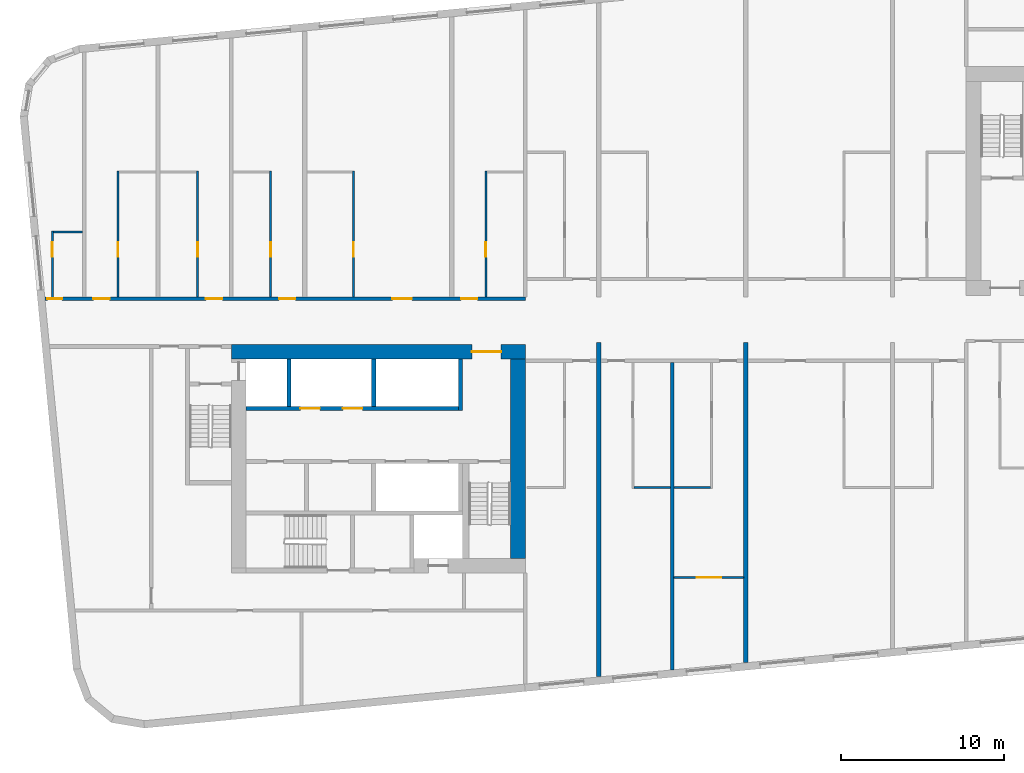
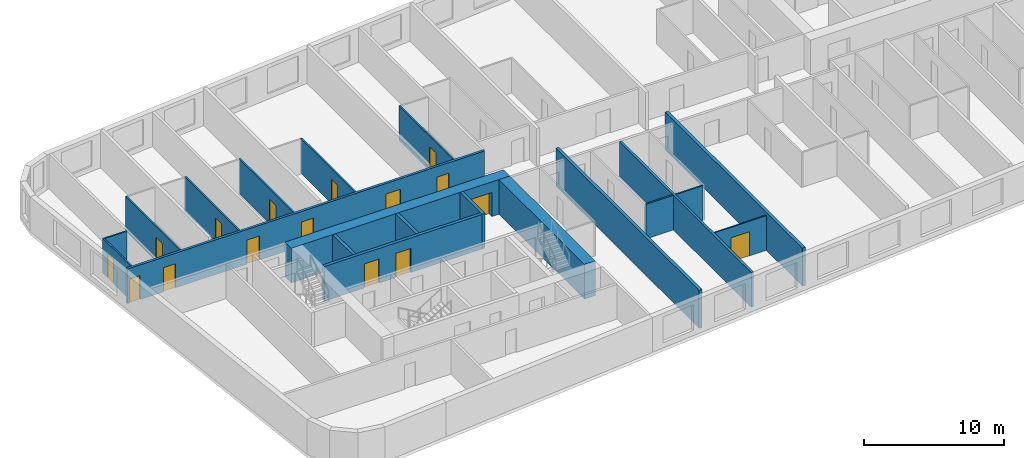
# One storey, part 3 of 12: 20 walls, 16 doors, 16 openings.
"""IFC4 building model written with IfcOpenShell, lengths in metres."""

from ifc_helpers import new_model, si_unit, direction, frame, frame_2d, origin, place, context, subcontext, project, spatial, rectangle, extrude, material, layer, layer_set, type_object, element, fill, save


model = new_model("IFC4")

# Units and contexts
model_context = context("Model", 3, precision=1e-05, world=origin(), true_north=direction((0.0, 1.0)))
body_context = subcontext(model_context, "Body", "Model", "MODEL_VIEW")
ifc_project = project(units=[si_unit("LENGTHUNIT", "METRE"), si_unit("AREAUNIT", "SQUARE_METRE"), si_unit("VOLUMEUNIT", "CUBIC_METRE"), si_unit("PLANEANGLEUNIT", "RADIAN"), si_unit("MASSUNIT", "GRAM", prefix="KILO")], contexts=[model_context])

# Site, building, storey
site_placement = place(None, origin())
site = spatial("IfcSite", under=ifc_project, at=site_placement, CompositionType="ELEMENT")
building_placement = place(site_placement, origin())
building = spatial("IfcBuilding", under=site, at=building_placement, Name="Kajstack Hotel Tower", CompositionType="ELEMENT")
storey_placement = place(building_placement, frame((0.0, 0.0, 199.89990234375)))
storey = spatial("IfcBuildingStorey", under=building, at=storey_placement, Name="L48", CompositionType="ELEMENT", Elevation=199.89990234375)

# Wall, opening, door
ifc_material_1 = material(Name="Concrete C60/75", Category="concrete")
ifc_layer_1 = layer(ifc_material_1, 0.89990234375)
ifc_layer_set_1 = layer_set([ifc_layer_1], Name="Core wall 900")
wall_type_1 = type_object("IfcWallType", Name="Core wall 900", PredefinedType="SHEAR", material=ifc_layer_set_1)
wall_1_placement = place(storey_placement, frame((-31.5, -1.949951171875, 0.0), z_axis=(0.0, 0.0, 1.0), x_axis=(1.0, 0.0, 0.0)))
wall_1 = element("IfcWall", 1, at=wall_1_placement, inside=storey, type_object=wall_type_1, Name="Core wall W RN", PredefinedType="SHEAR", context=body_context, shape_type="SweptSolid", body=[
    extrude(rectangle(XDim=18.0, YDim=0.89990234375, at=frame_2d((9.0, 0.0))), origin(), (0.0, 0.0, 1.0), 3.02001953125),
])
opening_1_placement = place(wall_1_placement, frame((14.72509765625, 0.0, 0.0)))
opening_1 = element("IfcOpeningElement", 2, at=opening_1_placement, cuts=wall_1, Name="Opening 48W07", PredefinedType="OPENING", context=body_context, shape_type="SweptSolid", body=[
    extrude(rectangle(XDim=1.800048828125, YDim=2.10009765625, at=frame_2d((0.89990234375, 1.050048828125))), frame((0.0, 0.4599609375, 0.0), z_axis=(0.0, -1.0, 0.0), x_axis=(1.0, 0.0, 0.0)), (0.0, 0.0, 1.0), 0.919921875),
])
ifc_material_2 = material(Name="Glazed steel frame, fire-rated glass", Category="steel")
door_type_1 = type_object("IfcDoorType", Name="Lobby double door 1800", OperationType="DOUBLE_DOOR_DOUBLE_SWING", PredefinedType="DOOR", material=ifc_material_2)
door_1_placement = place(opening_1_placement, origin())
door_1 = element("IfcDoor", 3, at=door_1_placement, inside=storey, type_object=door_type_1, Name="Door 48W07", OperationType="DOUBLE_DOOR_DOUBLE_SWING", OverallHeight=2.10009765625, OverallWidth=1.800048828125, PredefinedType="DOOR", context=body_context, shape_type="SweptSolid", body=[
    extrude(rectangle(XDim=1.800048828125, YDim=2.10009765625, at=frame_2d((0.89990234375, 1.050048828125))), frame((0.0, 0.02490234375, 0.0), z_axis=(0.0, -1.0, 0.0), x_axis=(1.0, 0.0, 0.0)), (0.0, 0.0, 1.0), 0.050048828125),
])
fill(opening_1, door_1)

# Wall
wall_2_placement = place(storey_placement, frame((-13.949951171875, -14.60009765625, 0.0), z_axis=(0.0, 0.0, 1.0), x_axis=(0.0, 1.0, 0.0)))
element("IfcWall", 4, at=wall_2_placement, inside=storey, type_object=wall_type_1, Name="Core wall W RE", PredefinedType="SHEAR", context=body_context, shape_type="SweptSolid", body=[
    extrude(rectangle(XDim=12.2001953125, YDim=0.89990234375, at=frame_2d((6.10009765625, 0.0))), origin(), (0.0, 0.0, 1.0), 3.02001953125),
])

# Wall, openings, doors
ifc_material_3 = material(Name="Gypsum board on steel studs, mineral wool", Category="steel")
ifc_layer_2 = layer(ifc_material_3, 0.199951171875)
ifc_layer_set_2 = layer_set([ifc_layer_2], Name="Corridor wall 200")
wall_type_2 = type_object("IfcWallType", Name="Corridor wall 200", PredefinedType="PARTITIONING", material=ifc_layer_set_2)
wall_3_placement = place(storey_placement, frame((-42.9130859375, 1.300048828125, 0.0), z_axis=(0.0, 0.0, 1.0), x_axis=(1.0, 0.0, 0.0)))
wall_3 = element("IfcWall", 5, at=wall_3_placement, inside=storey, type_object=wall_type_2, Name="G-wall-L48-003", PredefinedType="PARTITIONING", context=body_context, shape_type="SweptSolid", body=[
    extrude(rectangle(XDim=29.4130859375, YDim=0.199951171875, at=frame_2d((14.70654296875, 0.0))), origin(), (0.0, 0.0, 1.0), 3.02001953125),
])
opening_2_placement = place(wall_3_placement, frame((0.14990234375, 0.0, 0.0)))
opening_2 = element("IfcOpeningElement", 6, at=opening_2_placement, cuts=wall_3, Name="Opening 48001", PredefinedType="OPENING", context=body_context, shape_type="SweptSolid", body=[
    extrude(rectangle(XDim=0.89990234375, YDim=2.10009765625, at=frame_2d((0.449951171875, 1.050048828125))), frame((0.0, 0.10986328125, 0.0), z_axis=(0.0, -1.0, 0.0), x_axis=(1.0, 0.0, 0.0)), (0.0, 0.0, 1.0), 0.219970703125),
])
opening_3_placement = place(wall_3_placement, frame((2.962890625, 0.0, 0.0)))
opening_3 = element("IfcOpeningElement", 7, at=opening_3_placement, cuts=wall_3, Name="Opening 48003", PredefinedType="OPENING", context=body_context, shape_type="SweptSolid", body=[
    extrude(rectangle(XDim=1.0, YDim=2.10009765625, at=frame_2d((0.5, 1.050048828125))), frame((0.0, 0.10986328125, 0.0), z_axis=(0.0, -1.0, 0.0), x_axis=(1.0, 0.0, 0.0)), (0.0, 0.0, 1.0), 0.219970703125),
])
opening_4_placement = place(wall_3_placement, frame((9.863037109375, 0.0, 0.0)))
opening_4 = element("IfcOpeningElement", 8, at=opening_4_placement, cuts=wall_3, Name="Opening 48005", PredefinedType="OPENING", context=body_context, shape_type="SweptSolid", body=[
    extrude(rectangle(XDim=1.0, YDim=2.10009765625, at=frame_2d((0.5, 1.050048828125))), frame((0.0, 0.10986328125, 0.0), z_axis=(0.0, -1.0, 0.0), x_axis=(1.0, 0.0, 0.0)), (0.0, 0.0, 1.0), 0.219970703125),
])
opening_5_placement = place(wall_3_placement, frame((14.337890625, 0.0, 0.0)))
opening_5 = element("IfcOpeningElement", 9, at=opening_5_placement, cuts=wall_3, Name="Opening 48007", PredefinedType="OPENING", context=body_context, shape_type="SweptSolid", body=[
    extrude(rectangle(XDim=1.0, YDim=2.10009765625, at=frame_2d((0.5, 1.050048828125))), frame((0.0, 0.10986328125, 0.0), z_axis=(0.0, -1.0, 0.0), x_axis=(1.0, 0.0, 0.0)), (0.0, 0.0, 1.0), 0.219970703125),
])
opening_6_placement = place(wall_3_placement, frame((21.27490234375, 0.0, 0.0)))
opening_6 = element("IfcOpeningElement", 10, at=opening_6_placement, cuts=wall_3, Name="Opening 48009", PredefinedType="OPENING", context=body_context, shape_type="SweptSolid", body=[
    extrude(rectangle(XDim=1.199951171875, YDim=2.10009765625, at=frame_2d((0.60009765625, 1.050048828125))), frame((0.0, 0.10986328125, 0.0), z_axis=(0.0, -1.0, 0.0), x_axis=(1.0, 0.0, 0.0)), (0.0, 0.0, 1.0), 0.219970703125),
])
opening_7_placement = place(wall_3_placement, frame((25.488037109375, 0.0, 0.0)))
opening_7 = element("IfcOpeningElement", 11, at=opening_7_placement, cuts=wall_3, Name="Opening 48011", PredefinedType="OPENING", context=body_context, shape_type="SweptSolid", body=[
    extrude(rectangle(XDim=1.0, YDim=2.10009765625, at=frame_2d((0.5, 1.050048828125))), frame((0.0, 0.10986328125, 0.0), z_axis=(0.0, -1.0, 0.0), x_axis=(1.0, 0.0, 0.0)), (0.0, 0.0, 1.0), 0.219970703125),
])
ifc_material_4 = material(Name="Oak veneer on timber core, fire-rated leaf", Category="wood")
door_type_2 = type_object("IfcDoorType", Name="Flat entrance door 1000", OperationType="SINGLE_SWING_LEFT", PredefinedType="DOOR", material=ifc_material_4)
door_2_placement = place(opening_3_placement, origin())
door_2 = element("IfcDoor", 12, at=door_2_placement, inside=storey, type_object=door_type_2, Name="G-door-L48-03", OperationType="SINGLE_SWING_LEFT", OverallHeight=2.10009765625, OverallWidth=1.0, PredefinedType="DOOR", context=body_context, shape_type="SweptSolid", body=[
    extrude(rectangle(XDim=1.0, YDim=2.10009765625, at=frame_2d((0.5, 1.050048828125))), frame((0.0, 0.02490234375, 0.0), z_axis=(0.0, -1.0, 0.0), x_axis=(1.0, 0.0, 0.0)), (0.0, 0.0, 1.0), 0.050048828125),
])
fill(opening_3, door_2)
door_3_placement = place(opening_4_placement, origin())
door_3 = element("IfcDoor", 13, at=door_3_placement, inside=storey, type_object=door_type_2, Name="G-door-L48-05", OperationType="SINGLE_SWING_LEFT", OverallHeight=2.10009765625, OverallWidth=1.0, PredefinedType="DOOR", context=body_context, shape_type="SweptSolid", body=[
    extrude(rectangle(XDim=1.0, YDim=2.10009765625, at=frame_2d((0.5, 1.050048828125))), frame((0.0, 0.02490234375, 0.0), z_axis=(0.0, -1.0, 0.0), x_axis=(1.0, 0.0, 0.0)), (0.0, 0.0, 1.0), 0.050048828125),
])
fill(opening_4, door_3)
door_4_placement = place(opening_5_placement, origin())
door_4 = element("IfcDoor", 14, at=door_4_placement, inside=storey, type_object=door_type_2, Name="G-door-L48-07", OperationType="SINGLE_SWING_RIGHT", OverallHeight=2.10009765625, OverallWidth=1.0, PredefinedType="DOOR", context=body_context, shape_type="SweptSolid", body=[
    extrude(rectangle(XDim=1.0, YDim=2.10009765625, at=frame_2d((0.5, 1.050048828125))), frame((0.0, 0.02490234375, 0.0), z_axis=(0.0, -1.0, 0.0), x_axis=(1.0, 0.0, 0.0)), (0.0, 0.0, 1.0), 0.050048828125),
])
fill(opening_5, door_4)
door_5_placement = place(opening_7_placement, origin())
door_5 = element("IfcDoor", 15, at=door_5_placement, inside=storey, type_object=door_type_2, Name="G-door-L48-11", OperationType="SINGLE_SWING_RIGHT", OverallHeight=2.10009765625, OverallWidth=1.0, PredefinedType="DOOR", context=body_context, shape_type="SweptSolid", body=[
    extrude(rectangle(XDim=1.0, YDim=2.10009765625, at=frame_2d((0.5, 1.050048828125))), frame((0.0, 0.02490234375, 0.0), z_axis=(0.0, -1.0, 0.0), x_axis=(1.0, 0.0, 0.0)), (0.0, 0.0, 1.0), 0.050048828125),
])
fill(opening_7, door_5)
door_type_3 = type_object("IfcDoorType", Name="Flat entrance door 1200", OperationType="SINGLE_SWING_LEFT", PredefinedType="DOOR", material=ifc_material_4)
door_6_placement = place(opening_6_placement, origin())
door_6 = element("IfcDoor", 16, at=door_6_placement, inside=storey, type_object=door_type_3, Name="G-door-L48-09", OperationType="SINGLE_SWING_LEFT", OverallHeight=2.10009765625, OverallWidth=1.199951171875, PredefinedType="DOOR", context=body_context, shape_type="SweptSolid", body=[
    extrude(rectangle(XDim=1.199951171875, YDim=2.10009765625, at=frame_2d((0.60009765625, 1.050048828125))), frame((0.0, 0.02490234375, 0.0), z_axis=(0.0, -1.0, 0.0), x_axis=(1.0, 0.0, 0.0)), (0.0, 0.0, 1.0), 0.050048828125),
])
fill(opening_6, door_6)
ifc_material_5 = material(Name="Painted timber door leaf", Category="wood")
door_type_4 = type_object("IfcDoorType", Name="Room door 900", OperationType="SINGLE_SWING_LEFT", PredefinedType="DOOR", material=ifc_material_5)
door_7_placement = place(opening_2_placement, origin())
door_7 = element("IfcDoor", 17, at=door_7_placement, inside=storey, type_object=door_type_4, Name="G-door-L48-01", OperationType="SINGLE_SWING_RIGHT", OverallHeight=2.10009765625, OverallWidth=0.89990234375, PredefinedType="DOOR", context=body_context, shape_type="SweptSolid", body=[
    extrude(rectangle(XDim=0.89990234375, YDim=2.10009765625, at=frame_2d((0.449951171875, 1.050048828125))), frame((0.0, 0.02490234375, 0.0), z_axis=(0.0, -1.0, 0.0), x_axis=(1.0, 0.0, 0.0)), (0.0, 0.0, 1.0), 0.050048828125),
])
fill(opening_2, door_7)

# Wall
ifc_material_6 = material(Name="Twin-frame gypsum board on steel studs, mineral wool", Category="steel")
ifc_layer_3 = layer(ifc_material_6, 0.199951171875)
ifc_layer_set_3 = layer_set([ifc_layer_3], Name="Demising wall 200")
wall_type_3 = type_object("IfcWallType", Name="Demising wall 200", PredefinedType="PARTITIONING", material=ifc_layer_set_3)
wall_4_placement = place(storey_placement, frame((-4.5, -21.43408203125, 0.0), z_axis=(0.0, 0.0, 1.0), x_axis=(0.0, 1.0, 0.0)))
element("IfcWall", 18, at=wall_4_placement, inside=storey, type_object=wall_type_3, Name="G-wall-L48-032", PredefinedType="PARTITIONING", context=body_context, shape_type="SweptSolid", body=[
    extrude(rectangle(XDim=18.833984375, YDim=0.199951171875, at=frame_2d((9.4169921875, 0.0))), origin(), (0.0, 0.0, 1.0), 3.02001953125),
])

# Wall, opening, door
ifc_material_7 = material(Name="Gypsum board and tiled backer on steel studs", Category="steel")
ifc_layer_4 = layer(ifc_material_7, 0.125)
ifc_layer_set_4 = layer_set([ifc_layer_4], Name="En-suite wall 125")
wall_type_4 = type_object("IfcWallType", Name="En-suite wall 125", PredefinedType="PARTITIONING", material=ifc_layer_set_4)
wall_5_placement = place(storey_placement, frame((-42.4619140625, 1.39990234375, 0.0), z_axis=(0.0, 0.0, 1.0), x_axis=(0.0, 1.0, 0.0)))
wall_5 = element("IfcWall", 19, at=wall_5_placement, inside=storey, type_object=wall_type_4, Name="G-wall-L48-006", PredefinedType="PARTITIONING", context=body_context, shape_type="SweptSolid", body=[
    extrude(rectangle(XDim=4.028076171875, YDim=0.125, at=frame_2d((2.01416015625, 0.0))), origin(), (0.0, 0.0, 1.0), 3.02001953125),
])
opening_8_placement = place(wall_5_placement, frame((2.449951171875, 0.0, 0.0)))
opening_8 = element("IfcOpeningElement", 20, at=opening_8_placement, cuts=wall_5, Name="Opening 48002", PredefinedType="OPENING", context=body_context, shape_type="SweptSolid", body=[
    extrude(rectangle(XDim=0.89990234375, YDim=2.10009765625, at=frame_2d((0.449951171875, 1.050048828125))), frame((0.0, 0.072509765625, 0.0), z_axis=(0.0, -1.0, 0.0), x_axis=(1.0, 0.0, 0.0)), (0.0, 0.0, 1.0), 0.14501953125),
])
door_8_placement = place(opening_8_placement, origin())
door_8 = element("IfcDoor", 21, at=door_8_placement, inside=storey, type_object=door_type_4, Name="G-door-L48-02", OperationType="SINGLE_SWING_RIGHT", OverallHeight=2.10009765625, OverallWidth=0.89990234375, PredefinedType="DOOR", context=body_context, shape_type="SweptSolid", body=[
    extrude(rectangle(XDim=0.89990234375, YDim=2.10009765625, at=frame_2d((0.449951171875, 1.050048828125))), frame((0.0, 0.02490234375, 0.0), z_axis=(0.0, -1.0, 0.0), x_axis=(1.0, 0.0, 0.0)), (0.0, 0.0, 1.0), 0.050048828125),
])
fill(opening_8, door_8)

# Wall
wall_6_placement = place(storey_placement, frame((-42.39990234375, 5.365966796875, 0.0), z_axis=(0.0, 0.0, 1.0), x_axis=(1.0, 0.0, 0.0)))
element("IfcWall", 22, at=wall_6_placement, inside=storey, type_object=wall_type_4, Name="G-wall-L48-007", PredefinedType="PARTITIONING", context=body_context, shape_type="SweptSolid", body=[
    extrude(rectangle(XDim=1.7998046875, YDim=0.125, at=frame_2d((0.89990234375, 0.0))), origin(), (0.0, 0.0, 1.0), 3.02001953125),
])

# Wall, opening, door
wall_7_placement = place(storey_placement, frame((-38.43798828125, 1.39990234375, 0.0), z_axis=(0.0, 0.0, 1.0), x_axis=(0.0, 1.0, 0.0)))
wall_7 = element("IfcWall", 23, at=wall_7_placement, inside=storey, type_object=wall_type_4, Name="G-wall-L48-008", PredefinedType="PARTITIONING", context=body_context, shape_type="SweptSolid", body=[
    extrude(rectangle(XDim=7.72509765625, YDim=0.125, at=frame_2d((3.862548828125, 0.0))), origin(), (0.0, 0.0, 1.0), 3.02001953125),
])
opening_9_placement = place(wall_7_placement, frame((2.449951171875, 0.0, 0.0)))
opening_9 = element("IfcOpeningElement", 24, at=opening_9_placement, cuts=wall_7, Name="Opening 48004", PredefinedType="OPENING", context=body_context, shape_type="SweptSolid", body=[
    extrude(rectangle(XDim=0.89990234375, YDim=2.10009765625, at=frame_2d((0.449951171875, 1.050048828125))), frame((0.0, 0.072509765625, 0.0), z_axis=(0.0, -1.0, 0.0), x_axis=(1.0, 0.0, 0.0)), (0.0, 0.0, 1.0), 0.14501953125),
])
door_9_placement = place(opening_9_placement, origin())
door_9 = element("IfcDoor", 25, at=door_9_placement, inside=storey, type_object=door_type_4, Name="G-door-L48-04", OperationType="SINGLE_SWING_RIGHT", OverallHeight=2.10009765625, OverallWidth=0.89990234375, PredefinedType="DOOR", context=body_context, shape_type="SweptSolid", body=[
    extrude(rectangle(XDim=0.89990234375, YDim=2.10009765625, at=frame_2d((0.449951171875, 1.050048828125))), frame((0.0, 0.02490234375, 0.0), z_axis=(0.0, -1.0, 0.0), x_axis=(1.0, 0.0, 0.0)), (0.0, 0.0, 1.0), 0.050048828125),
])
fill(opening_9, door_9)

wall_8_placement = place(storey_placement, frame((-33.56201171875, 1.39990234375, 0.0), z_axis=(0.0, 0.0, 1.0), x_axis=(0.0, 1.0, 0.0)))
wall_8 = element("IfcWall", 26, at=wall_8_placement, inside=storey, type_object=wall_type_4, Name="G-wall-L48-011", PredefinedType="PARTITIONING", context=body_context, shape_type="SweptSolid", body=[
    extrude(rectangle(XDim=7.72509765625, YDim=0.125, at=frame_2d((3.862548828125, 0.0))), origin(), (0.0, 0.0, 1.0), 3.02001953125),
])
opening_10_placement = place(wall_8_placement, frame((2.449951171875, 0.0, 0.0)))
opening_10 = element("IfcOpeningElement", 27, at=opening_10_placement, cuts=wall_8, Name="Opening 48006", PredefinedType="OPENING", context=body_context, shape_type="SweptSolid", body=[
    extrude(rectangle(XDim=0.89990234375, YDim=2.10009765625, at=frame_2d((0.449951171875, 1.050048828125))), frame((0.0, 0.072509765625, 0.0), z_axis=(0.0, -1.0, 0.0), x_axis=(1.0, 0.0, 0.0)), (0.0, 0.0, 1.0), 0.14501953125),
])
door_10_placement = place(opening_10_placement, origin())
door_10 = element("IfcDoor", 28, at=door_10_placement, inside=storey, type_object=door_type_4, Name="G-door-L48-06", OperationType="SINGLE_SWING_LEFT", OverallHeight=2.10009765625, OverallWidth=0.89990234375, PredefinedType="DOOR", context=body_context, shape_type="SweptSolid", body=[
    extrude(rectangle(XDim=0.89990234375, YDim=2.10009765625, at=frame_2d((0.449951171875, 1.050048828125))), frame((0.0, 0.02490234375, 0.0), z_axis=(0.0, -1.0, 0.0), x_axis=(1.0, 0.0, 0.0)), (0.0, 0.0, 1.0), 0.050048828125),
])
fill(opening_10, door_10)

wall_9_placement = place(storey_placement, frame((-29.0869140625, 1.39990234375, 0.0), z_axis=(0.0, 0.0, 1.0), x_axis=(0.0, 1.0, 0.0)))
wall_9 = element("IfcWall", 29, at=wall_9_placement, inside=storey, type_object=wall_type_4, Name="G-wall-L48-013", PredefinedType="PARTITIONING", context=body_context, shape_type="SweptSolid", body=[
    extrude(rectangle(XDim=7.72509765625, YDim=0.125, at=frame_2d((3.862548828125, 0.0))), origin(), (0.0, 0.0, 1.0), 3.02001953125),
])
opening_11_placement = place(wall_9_placement, frame((2.449951171875, 0.0, 0.0)))
opening_11 = element("IfcOpeningElement", 30, at=opening_11_placement, cuts=wall_9, Name="Opening 48008", PredefinedType="OPENING", context=body_context, shape_type="SweptSolid", body=[
    extrude(rectangle(XDim=0.89990234375, YDim=2.10009765625, at=frame_2d((0.449951171875, 1.050048828125))), frame((0.0, 0.072509765625, 0.0), z_axis=(0.0, -1.0, 0.0), x_axis=(1.0, 0.0, 0.0)), (0.0, 0.0, 1.0), 0.14501953125),
])
door_11_placement = place(opening_11_placement, origin())
door_11 = element("IfcDoor", 31, at=door_11_placement, inside=storey, type_object=door_type_4, Name="G-door-L48-08", OperationType="SINGLE_SWING_RIGHT", OverallHeight=2.10009765625, OverallWidth=0.89990234375, PredefinedType="DOOR", context=body_context, shape_type="SweptSolid", body=[
    extrude(rectangle(XDim=0.89990234375, YDim=2.10009765625, at=frame_2d((0.449951171875, 1.050048828125))), frame((0.0, 0.02490234375, 0.0), z_axis=(0.0, -1.0, 0.0), x_axis=(1.0, 0.0, 0.0)), (0.0, 0.0, 1.0), 0.050048828125),
])
fill(opening_11, door_11)

wall_10_placement = place(storey_placement, frame((-24.011962890625, 1.39990234375, 0.0), z_axis=(0.0, 0.0, 1.0), x_axis=(0.0, 1.0, 0.0)))
wall_10 = element("IfcWall", 32, at=wall_10_placement, inside=storey, type_object=wall_type_4, Name="G-wall-L48-015", PredefinedType="PARTITIONING", context=body_context, shape_type="SweptSolid", body=[
    extrude(rectangle(XDim=7.72509765625, YDim=0.125, at=frame_2d((3.862548828125, 0.0))), origin(), (0.0, 0.0, 1.0), 3.02001953125),
])
opening_12_placement = place(wall_10_placement, frame((2.449951171875, 0.0, 0.0)))
opening_12 = element("IfcOpeningElement", 33, at=opening_12_placement, cuts=wall_10, Name="Opening 48010", PredefinedType="OPENING", context=body_context, shape_type="SweptSolid", body=[
    extrude(rectangle(XDim=0.89990234375, YDim=2.10009765625, at=frame_2d((0.449951171875, 1.050048828125))), frame((0.0, 0.072509765625, 0.0), z_axis=(0.0, -1.0, 0.0), x_axis=(1.0, 0.0, 0.0)), (0.0, 0.0, 1.0), 0.14501953125),
])
door_12_placement = place(opening_12_placement, origin())
door_12 = element("IfcDoor", 34, at=door_12_placement, inside=storey, type_object=door_type_4, Name="G-door-L48-10", OperationType="SINGLE_SWING_LEFT", OverallHeight=2.10009765625, OverallWidth=0.89990234375, PredefinedType="DOOR", context=body_context, shape_type="SweptSolid", body=[
    extrude(rectangle(XDim=0.89990234375, YDim=2.10009765625, at=frame_2d((0.449951171875, 1.050048828125))), frame((0.0, 0.02490234375, 0.0), z_axis=(0.0, -1.0, 0.0), x_axis=(1.0, 0.0, 0.0)), (0.0, 0.0, 1.0), 0.050048828125),
])
fill(opening_12, door_12)

wall_11_placement = place(storey_placement, frame((-15.912109375, 1.39990234375, 0.0), z_axis=(0.0, 0.0, 1.0), x_axis=(0.0, 1.0, 0.0)))
wall_11 = element("IfcWall", 35, at=wall_11_placement, inside=storey, type_object=wall_type_4, Name="G-wall-L48-018", PredefinedType="PARTITIONING", context=body_context, shape_type="SweptSolid", body=[
    extrude(rectangle(XDim=7.72509765625, YDim=0.125, at=frame_2d((3.862548828125, 0.0))), origin(), (0.0, 0.0, 1.0), 3.02001953125),
])
opening_13_placement = place(wall_11_placement, frame((2.449951171875, 0.0, 0.0)))
opening_13 = element("IfcOpeningElement", 36, at=opening_13_placement, cuts=wall_11, Name="Opening 48012", PredefinedType="OPENING", context=body_context, shape_type="SweptSolid", body=[
    extrude(rectangle(XDim=0.89990234375, YDim=2.10009765625, at=frame_2d((0.449951171875, 1.050048828125))), frame((0.0, 0.072509765625, 0.0), z_axis=(0.0, -1.0, 0.0), x_axis=(1.0, 0.0, 0.0)), (0.0, 0.0, 1.0), 0.14501953125),
])
door_13_placement = place(opening_13_placement, origin())
door_13 = element("IfcDoor", 37, at=door_13_placement, inside=storey, type_object=door_type_4, Name="G-door-L48-12", OperationType="SINGLE_SWING_RIGHT", OverallHeight=2.10009765625, OverallWidth=0.89990234375, PredefinedType="DOOR", context=body_context, shape_type="SweptSolid", body=[
    extrude(rectangle(XDim=0.89990234375, YDim=2.10009765625, at=frame_2d((0.449951171875, 1.050048828125))), frame((0.0, 0.02490234375, 0.0), z_axis=(0.0, -1.0, 0.0), x_axis=(1.0, 0.0, 0.0)), (0.0, 0.0, 1.0), 0.050048828125),
])
fill(opening_13, door_13)

# Walls
for number, where, z_axis, x_axis, name in (
    (38, (-6.85009765625, -10.261962890625, 0.0), (0.0, 0.0, 1.0), (1.0, 0.0, 0.0), "G-wall-L48-034"),
    (39, (-4.39990234375, -10.261962890625, 0.0), (0.0, 0.0, 1.0), (1.0, 0.0, 0.0), "G-wall-L48-036"),
):
    element("IfcWall", number, at=place(storey_placement, frame(where, z_axis=z_axis, x_axis=x_axis)), inside=storey, type_object=wall_type_4, Name=name, PredefinedType="PARTITIONING", context=body_context, shape_type="SweptSolid", body=[
        extrude(rectangle(XDim=2.25, YDim=0.125, at=frame_2d((1.125, 0.0))), origin(), (0.0, 0.0, 1.0), 3.02001953125),
    ])
ifc_material_8 = material(Name="Concrete C50/60", Category="concrete")
ifc_layer_5 = layer(ifc_material_8, 0.300048828125)
ifc_layer_set_5 = layer_set([ifc_layer_5], Name="Hoistway divider wall 300")
wall_type_5 = type_object("IfcWallType", Name="Hoistway divider wall 300", PredefinedType="SHEAR", material=ifc_layer_set_5)
wall_12_placement = place(storey_placement, frame((-22.77490234375, -5.300048828125, 0.0), z_axis=(0.0, 0.0, 1.0), x_axis=(0.0, 1.0, 0.0)))
element("IfcWall", 40, at=wall_12_placement, inside=storey, type_object=wall_type_5, Name="Core wall W AP2", PredefinedType="SHEAR", context=body_context, shape_type="SweptSolid", body=[
    extrude(rectangle(XDim=2.900146484375, YDim=0.25, at=frame_2d((1.4501953125, 0.0))), origin(), (0.0, 0.0, 1.0), 3.02001953125),
])

# Wall, opening, door
ifc_material_9 = material(Name="Gypsum board on steel studs", Category="steel")
ifc_layer_6 = layer(ifc_material_9, 0.10009765625)
ifc_layer_set_6 = layer_set([ifc_layer_6], Name="Partition 100")
wall_type_6 = type_object("IfcWallType", Name="Partition 100", PredefinedType="PARTITIONING", material=ifc_layer_set_6)
wall_13_placement = place(storey_placement, frame((-4.39990234375, -15.77490234375, 0.0), z_axis=(0.0, 0.0, 1.0), x_axis=(1.0, 0.0, 0.0)))
wall_13 = element("IfcWall", 41, at=wall_13_placement, inside=storey, type_object=wall_type_6, Name="G-wall-L48-037", PredefinedType="PARTITIONING", context=body_context, shape_type="SweptSolid", body=[
    extrude(rectangle(XDim=4.27490234375, YDim=0.10009765625, at=frame_2d((2.137451171875, 0.0))), origin(), (0.0, 0.0, 1.0), 3.02001953125),
])
opening_14_placement = place(wall_13_placement, frame((1.387939453125, 0.0, 0.0)))
opening_14 = element("IfcOpeningElement", 42, at=opening_14_placement, cuts=wall_13, Name="Opening 48027", PredefinedType="OPENING", context=body_context, shape_type="SweptSolid", body=[
    extrude(rectangle(XDim=1.5, YDim=2.10009765625, at=frame_2d((0.75, 1.050048828125))), frame((0.0, 0.06005859375, 0.0), z_axis=(0.0, -1.0, 0.0), x_axis=(1.0, 0.0, 0.0)), (0.0, 0.0, 1.0), 0.1201171875),
])
ifc_material_10 = material(Name="Painted timber door leaves, glazed panels", Category="wood")
door_type_5 = type_object("IfcDoorType", Name="Double door 1500", OperationType="SINGLE_SWING_LEFT", PredefinedType="DOOR", material=ifc_material_10)
door_14_placement = place(opening_14_placement, origin())
door_14 = element("IfcDoor", 43, at=door_14_placement, inside=storey, type_object=door_type_5, Name="G-door-L48-27", OperationType="SINGLE_SWING_LEFT", OverallHeight=2.10009765625, OverallWidth=1.5, PredefinedType="DOOR", context=body_context, shape_type="SweptSolid", body=[
    extrude(rectangle(XDim=1.5, YDim=2.10009765625, at=frame_2d((0.75, 1.050048828125))), frame((0.0, 0.02490234375, 0.0), z_axis=(0.0, -1.0, 0.0), x_axis=(1.0, 0.0, 0.0)), (0.0, 0.0, 1.0), 0.050048828125),
])
fill(opening_14, door_14)

# Walls
ifc_layer_7 = layer(ifc_material_8, 0.25)
ifc_layer_set_7 = layer_set([ifc_layer_7], Name="RC cross wall 250 C50/60")
wall_type_7 = type_object("IfcWallType", Name="RC cross wall 250 C50/60", PredefinedType="SHEAR", material=ifc_layer_set_7)
wall_14_placement = place(storey_placement, frame((-9.0, -21.84521484375, 0.0), z_axis=(0.0, 0.0, 1.0), x_axis=(0.0, 1.0, 0.0)))
element("IfcWall", 44, at=wall_14_placement, inside=storey, type_object=wall_type_7, Name="S-wall-L48-04", PredefinedType="SHEAR", context=body_context, shape_type="SweptSolid", body=[
    extrude(rectangle(XDim=20.4453125, YDim=0.25, at=frame_2d((10.22265625, 0.0))), origin(), (0.0, 0.0, 1.0), 3.300048828125),
])
wall_15_placement = place(storey_placement, frame((0.0, -20.978515625, 0.0), z_axis=(0.0, 0.0, 1.0), x_axis=(0.0, 1.0, 0.0)))
element("IfcWall", 45, at=wall_15_placement, inside=storey, type_object=wall_type_7, Name="S-wall-L48-06", PredefinedType="SHEAR", context=body_context, shape_type="SweptSolid", body=[
    extrude(rectangle(XDim=19.57861328125, YDim=0.25, at=frame_2d((9.789306640625, 0.0))), origin(), (0.0, 0.0, 1.0), 3.300048828125),
])

# Wall, openings, doors
ifc_layer_8 = layer(ifc_material_8, 0.25)
ifc_layer_set_8 = layer_set([ifc_layer_8], Name="Shaft wall 250")
wall_type_8 = type_object("IfcWallType", Name="Shaft wall 250", PredefinedType="SHEAR", material=ifc_layer_set_8)
wall_16_placement = place(storey_placement, frame((-30.60009765625, -5.425048828125, 0.0), z_axis=(0.0, 0.0, 1.0), x_axis=(1.0, 0.0, 0.0)))
wall_16 = element("IfcWall", 46, at=wall_16_placement, inside=storey, type_object=wall_type_8, Name="Core wall W FA", PredefinedType="SHEAR", context=body_context, shape_type="SweptSolid", body=[
    extrude(rectangle(XDim=13.0, YDim=0.25, at=frame_2d((6.5, 0.0))), origin(), (0.0, 0.0, 1.0), 3.02001953125),
])
opening_15_placement = place(wall_16_placement, frame((3.324951171875, 0.0, 0.0)))
opening_15 = element("IfcOpeningElement", 47, at=opening_15_placement, cuts=wall_16, Name="Opening LD-MR3", PredefinedType="OPENING", context=body_context, shape_type="SweptSolid", body=[
    extrude(rectangle(XDim=1.199951171875, YDim=2.10009765625, at=frame_2d((0.60009765625, 1.050048828125))), frame((0.0, 0.135009765625, 0.0), z_axis=(0.0, -1.0, 0.0), x_axis=(1.0, 0.0, 0.0)), (0.0, 0.0, 1.0), 0.27001953125),
])
opening_16_placement = place(wall_16_placement, frame((5.925048828125, 0.0, 0.0)))
opening_16 = element("IfcOpeningElement", 48, at=opening_16_placement, cuts=wall_16, Name="Opening LD-MR4", PredefinedType="OPENING", context=body_context, shape_type="SweptSolid", body=[
    extrude(rectangle(XDim=1.199951171875, YDim=2.10009765625, at=frame_2d((0.60009765625, 1.050048828125))), frame((0.0, 0.135009765625, 0.0), z_axis=(0.0, -1.0, 0.0), x_axis=(1.0, 0.0, 0.0)), (0.0, 0.0, 1.0), 0.27001953125),
])
ifc_material_11 = material(Name="Stainless steel", Category="steel")
door_type_6 = type_object("IfcDoorType", Name="Lift landing door 1200", OperationType="SLIDING_TO_LEFT", PredefinedType="DOOR", material=ifc_material_11)
door_15_placement = place(opening_15_placement, origin())
door_15 = element("IfcDoor", 49, at=door_15_placement, inside=storey, type_object=door_type_6, Name="Landing door MR3", OperationType="SLIDING_TO_RIGHT", OverallHeight=2.10009765625, OverallWidth=1.199951171875, PredefinedType="DOOR", context=body_context, shape_type="SweptSolid", body=[
    extrude(rectangle(XDim=1.199951171875, YDim=2.10009765625, at=frame_2d((0.60009765625, 1.050048828125))), frame((0.0, 0.02490234375, 0.0), z_axis=(0.0, -1.0, 0.0), x_axis=(1.0, 0.0, 0.0)), (0.0, 0.0, 1.0), 0.050048828125),
])
fill(opening_15, door_15)
door_16_placement = place(opening_16_placement, origin())
door_16 = element("IfcDoor", 50, at=door_16_placement, inside=storey, type_object=door_type_6, Name="Landing door MR4", OperationType="SLIDING_TO_RIGHT", OverallHeight=2.10009765625, OverallWidth=1.199951171875, PredefinedType="DOOR", context=body_context, shape_type="SweptSolid", body=[
    extrude(rectangle(XDim=1.199951171875, YDim=2.10009765625, at=frame_2d((0.60009765625, 1.050048828125))), frame((0.0, 0.02490234375, 0.0), z_axis=(0.0, -1.0, 0.0), x_axis=(1.0, 0.0, 0.0)), (0.0, 0.0, 1.0), 0.050048828125),
])
fill(opening_16, door_16)

# Walls
wall_17_placement = place(storey_placement, frame((-17.47509765625, -5.550048828125, 0.0), z_axis=(0.0, 0.0, 1.0), x_axis=(0.0, 1.0, 0.0)))
element("IfcWall", 51, at=wall_17_placement, inside=storey, type_object=wall_type_8, Name="Core wall W AE", PredefinedType="SHEAR", context=body_context, shape_type="SweptSolid", body=[
    extrude(rectangle(XDim=3.150146484375, YDim=0.25, at=frame_2d((1.5751953125, 0.0))), origin(), (0.0, 0.0, 1.0), 3.02001953125),
])
wall_18_placement = place(storey_placement, frame((-27.97509765625, -5.300048828125, 0.0), z_axis=(0.0, 0.0, 1.0), x_axis=(0.0, 1.0, 0.0)))
element("IfcWall", 52, at=wall_18_placement, inside=storey, type_object=wall_type_8, Name="Core wall W AP0", PredefinedType="SHEAR", context=body_context, shape_type="SweptSolid", body=[
    extrude(rectangle(XDim=2.900146484375, YDim=0.25, at=frame_2d((1.4501953125, 0.0))), origin(), (0.0, 0.0, 1.0), 3.02001953125),
])

save(model, "model.ifc")
